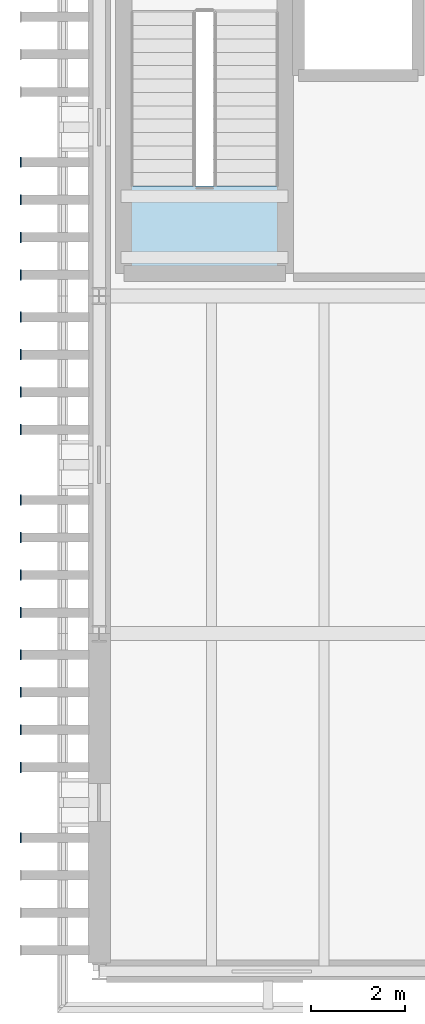
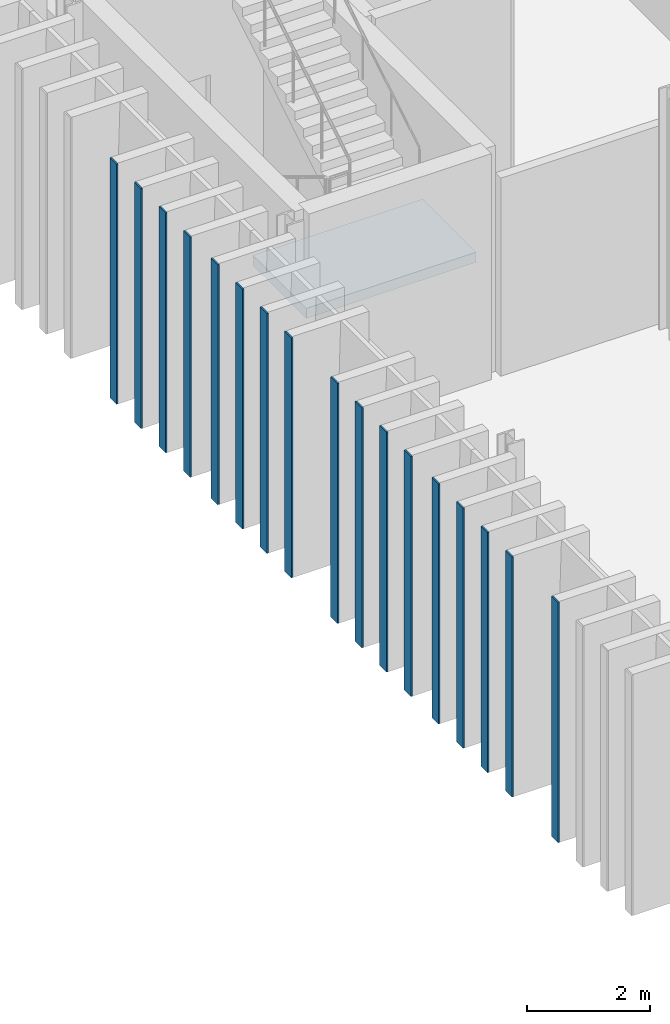
# One storey, part 53 of 121: 17 plates, 1 slab, 1 element without a shape of its own.
"""IFC4 building model written with IfcOpenShell, lengths in metres."""

from ifc_helpers import new_model, si_unit, direction, frame, origin, origin_2d, place, context, subcontext, project, spatial, polyline, rectangle, outline, extrude, material, layer, layer_set, type_object, element, aggregate, save


model = new_model("IFC4")

# Units and contexts
model_context = context("Model", 3, precision=1e-05, world=origin(), true_north=direction((0.0, 1.0)))
body_context = subcontext(model_context, "Body", "Model", "MODEL_VIEW")
ifc_project = project(units=[si_unit("LENGTHUNIT", "METRE"), si_unit("AREAUNIT", "SQUARE_METRE"), si_unit("VOLUMEUNIT", "CUBIC_METRE"), si_unit("PLANEANGLEUNIT", "RADIAN"), si_unit("MASSUNIT", "GRAM", prefix="KILO")], contexts=[model_context])

# Site, building, storey
site_placement = place(None, origin())
site = spatial("IfcSite", under=ifc_project, at=site_placement, CompositionType="ELEMENT")
building_placement = place(site_placement, origin())
building = spatial("IfcBuilding", under=site, at=building_placement, Name="Narikvali Park Central Library", CompositionType="ELEMENT")
storey_placement = place(building_placement, frame((0.0, 0.0, 5.39990234375)))
storey = spatial("IfcBuildingStorey", under=building, at=storey_placement, Name="L01", CompositionType="ELEMENT", Elevation=5.39990234375)

# Stair, slab
ifc_material_1 = material(Name="Concrete C35/45", Category="concrete")
stair_type = type_object("IfcStairType", Name="Core Enclosed Two-Flight Exit Stair", PredefinedType="HALF_TURN_STAIR", material=ifc_material_1)
stair_placement = place(storey_placement, origin())
stair = element("IfcStair", 1, at=stair_placement, inside=storey, type_object=stair_type, Name="L01 Exit Stair ST-09", PredefinedType="HALF_TURN_STAIR")
ifc_layer_1 = layer(ifc_material_1, 0.199951171875, Name="Concrete C35/45")
ifc_layer_set_1 = layer_set([ifc_layer_1], Name="Concrete C35/45")
slab_type = type_object("IfcSlabType", Name="Stair Half-Landing Concrete Slab 200", PredefinedType="LANDING", material=ifc_layer_set_1)
slab_placement = place(storey_placement, frame((0.0, 0.0, 2.2001953125)))
slab = element("IfcSlab", 2, at=slab_placement, type_object=slab_type, Name="ST-09 landing 1", PredefinedType="LANDING", context=body_context, shape_type="SweptSolid", body=[
    extrude(outline(polyline([(0.64990234375, 45.544921875), (0.64990234375, 43.800048828125), (3.85009765625, 43.800048828125), (3.85009765625, 45.544921875), (0.64990234375, 45.544921875)])), origin(), (0.0, 0.0, 1.0), 0.199951171875),
])
aggregate(stair, [slab])

# Plates
ifc_material_2 = material(Name="Anodised Bronze Aluminium", Category="aluminium")
ifc_layer_2 = layer(ifc_material_2, 0.028076171875, Name="Anodised Bronze Aluminium")
ifc_layer_set_2 = layer_set([ifc_layer_2], Name="Anodised Bronze Aluminium")
plate_type = type_object("IfcPlateType", Name="Vertical Brick Fin Bronze Bullnose Cap 28", PredefinedType="SHEET", material=ifc_layer_set_2)
for number, where, z_axis, x_axis, name in (
    (3, (-1.672119140625, 31.64990234375, 0.01025390625), (0.0, 0.0, 1.0), (1.0, 0.0, 0.0), "West Stacks Fin Bullnose Trim 014"),
    (4, (-1.672119140625, 33.14990234375, 0.01025390625), (0.0, 0.0, 1.0), (1.0, 0.0, 0.0), "West Stacks Fin Bullnose Trim 018"),
    (5, (-1.672119140625, 33.949951171875, 0.01025390625), (0.0, 0.0, 1.0), (1.0, 0.0, 0.0), "West Stacks Fin Bullnose Trim 022"),
    (6, (-1.672119140625, 34.75, 0.01025390625), (0.0, 0.0, 1.0), (1.0, 0.0, 0.0), "West Stacks Fin Bullnose Trim 026"),
    (7, (-1.672119140625, 35.550048828125, 0.01025390625), (0.0, 0.0, 1.0), (1.0, 0.0, 0.0), "West Stacks Fin Bullnose Trim 030"),
    (8, (-1.672119140625, 36.449951171875, 0.01025390625), (0.0, 0.0, 1.0), (1.0, 0.0, 0.0), "West Stacks Fin Bullnose Trim 034"),
    (9, (-1.672119140625, 37.25, 0.01025390625), (0.0, 0.0, 1.0), (1.0, 0.0, 0.0), "West Stacks Fin Bullnose Trim 039"),
    (10, (-1.672119140625, 38.050048828125, 0.01025390625), (0.0, 0.0, 1.0), (1.0, 0.0, 0.0), "West Stacks Fin Bullnose Trim 044"),
    (11, (-1.672119140625, 38.85009765625, 0.01025390625), (0.0, 0.0, 1.0), (1.0, 0.0, 0.0), "West Stacks Fin Bullnose Trim 049"),
    (12, (-1.672119140625, 40.35009765625, 0.01025390625), (0.0, 0.0, 1.0), (1.0, 0.0, 0.0), "West Stacks Fin Bullnose Trim 054"),
    (13, (-1.672119140625, 41.14990234375, 0.01025390625), (0.0, 0.0, 1.0), (1.0, 0.0, 0.0), "West Stacks Fin Bullnose Trim 059"),
    (14, (-1.672119140625, 41.949951171875, 0.01025390625), (0.0, 0.0, 1.0), (1.0, 0.0, 0.0), "West Stacks Fin Bullnose Trim 064"),
    (15, (-1.672119140625, 42.75, 0.01025390625), (0.0, 0.0, 1.0), (1.0, 0.0, 0.0), "West Stacks Fin Bullnose Trim 069"),
    (16, (-1.672119140625, 43.64990234375, 0.01025390625), (0.0, 0.0, 1.0), (1.0, 0.0, 0.0), "West Stacks Fin Bullnose Trim 074"),
    (17, (-1.672119140625, 44.449951171875, 0.01025390625), (0.0, 0.0, 1.0), (1.0, 0.0, 0.0), "West Stacks Fin Bullnose Trim 080"),
    (18, (-1.672119140625, 45.25, 0.01025390625), (0.0, 0.0, 1.0), (1.0, 0.0, 0.0), "West Stacks Fin Bullnose Trim 086"),
    (19, (-1.672119140625, 46.050048828125, 0.01025390625), (0.0, 0.0, 1.0), (1.0, 0.0, 0.0), "West Stacks Fin Bullnose Trim 092"),
):
    element("IfcPlate", number, at=place(storey_placement, frame(where, z_axis=z_axis, x_axis=x_axis)), inside=storey, type_object=plate_type, Name=name, PredefinedType="SHEET", context=body_context, shape_type="SweptSolid", body=[
        extrude(rectangle(XDim=0.028076171875, YDim=0.219970703125, at=origin_2d()), origin(), (0.0, 0.0, 1.0), 4.780029296875),
    ])

save(model, "model.ifc")
